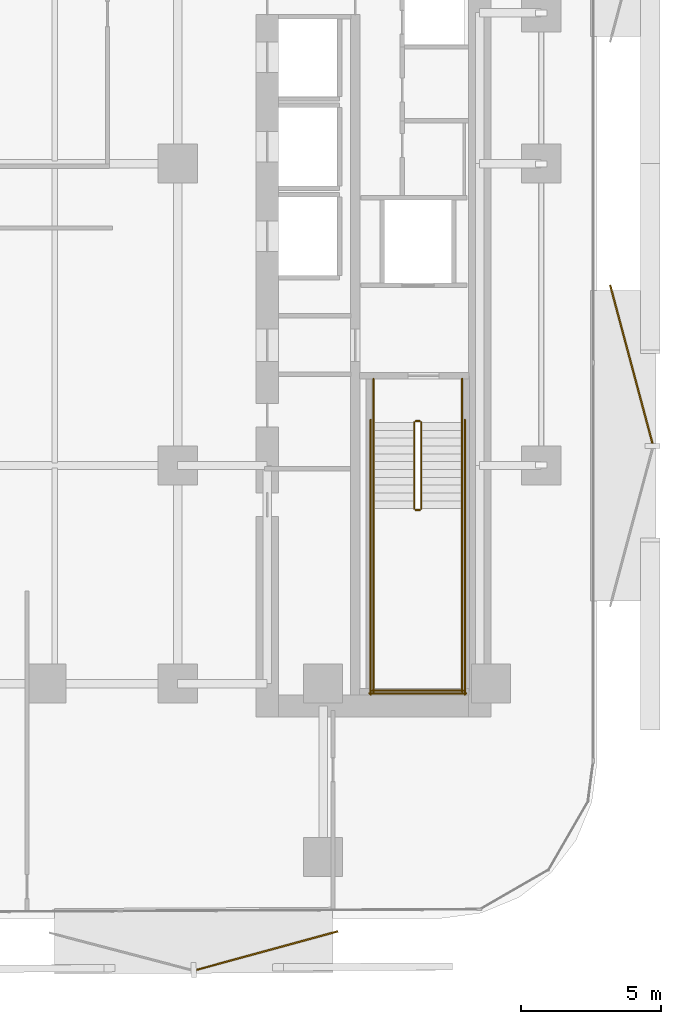
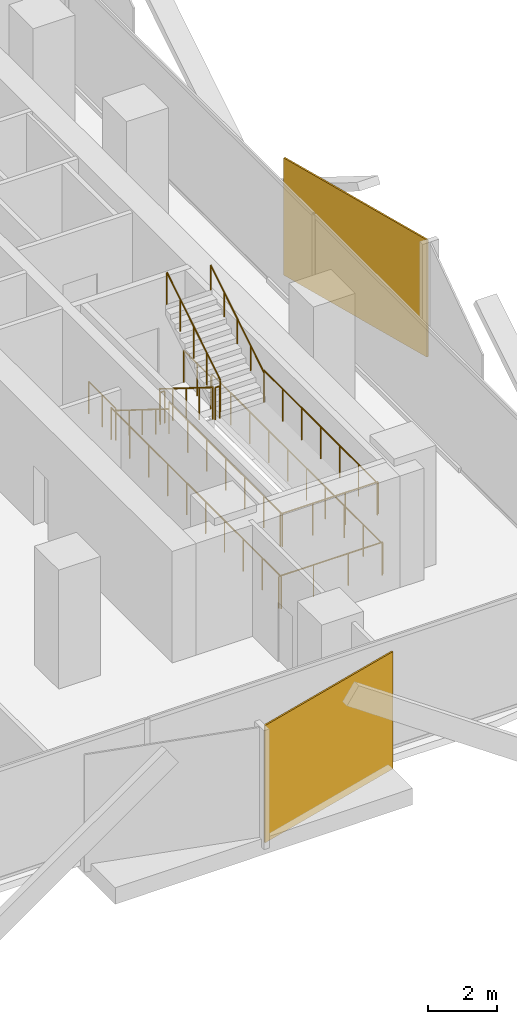
# One storey, part 13 of 15: 14 railings, 2 coverings.
"""IFC4 building model written with IfcOpenShell, lengths in metres."""

import ifcopenshell
import ifcopenshell.guid

model = None  # the IFC model being written
_history = None  # IfcOwnerHistory: only IFC2X3 demands one
_inside = {}  # id of a spatial element -> (the spatial element, [elements in it])
_under = {}  # id of a project, library or spatial element -> (it, [spatial elements below it])
_declared = {}  # id of a project -> (the project, [libraries it declares])
_typed = {}  # id of a type object -> (the type object, [elements of that type])
_made_of = {}  # id of a material, layer set ... -> (it, [elements and type objects made of it])


def new_model(schema):
    """Start an empty IFC model of exactly this schema.

    Asked for "IFC4X3", IfcOpenShell would pick the latest addendum, in which some entities
    have other attributes; the version numbers below select the first issue.
    IFC2X3 requires an IfcOwnerHistory on every rooted entity: one is made here for all.
    """
    global model, _history
    if schema == "IFC4X3":
        model = ifcopenshell.file(schema_version=(4, 3, 0, 0))
    else:
        model = ifcopenshell.file(schema=schema)
    _inside.clear()
    _under.clear()
    _declared.clear()
    _typed.clear()
    _made_of.clear()
    _history = None
    if model.schema == "IFC2X3":
        org = make("IfcOrganization", Name="unknown")
        user = make(
            "IfcPersonAndOrganization",
            ThePerson=make("IfcPerson", FamilyName="unknown"),
            TheOrganization=org,
        )
        app = make(
            "IfcApplication",
            ApplicationDeveloper=org,
            Version="unknown",
            ApplicationFullName="unknown",
            ApplicationIdentifier="unknown",
        )
        _history = make(
            "IfcOwnerHistory",
            OwningUser=user,
            OwningApplication=app,
            ChangeAction="ADDED",
            CreationDate=0,
        )
    return model


def make(cls, **values):
    """One entity of the class cls with the attributes given. An attribute that is None is left unset."""
    return model.create_entity(
        cls, **{name: value for name, value in values.items() if value is not None}
    )


def rooted(cls, **values):
    """An entity with a GlobalId (a new one), such as an element, a storey or a relation."""
    return make(cls, GlobalId=ifcopenshell.guid.new(), OwnerHistory=_history, **values)


def si_unit(unit_type, name, prefix=None):
    """IfcSIUnit, for example si_unit("LENGTHUNIT", "METRE", prefix="MILLI")."""
    return make("IfcSIUnit", UnitType=unit_type, Prefix=prefix, Name=name)


def assignment(units):
    """IfcUnitAssignment: the units of a project."""
    return None if units is None else make("IfcUnitAssignment", Units=units)


def point(xyz):
    """IfcCartesianPoint."""
    return None if xyz is None else make("IfcCartesianPoint", Coordinates=xyz)


def direction(xyz):
    """IfcDirection."""
    return None if xyz is None else make("IfcDirection", DirectionRatios=xyz)


def frame(location, z_axis=None, x_axis=None):
    """IfcAxis2Placement3D, a coordinate frame: its origin and axes. An axis left out is left unset."""
    return make(
        "IfcAxis2Placement3D",
        Location=point(location),
        Axis=direction(z_axis),
        RefDirection=direction(x_axis),
    )


def frame_2d(location, x_axis=None):
    """IfcAxis2Placement2D, a coordinate frame in the plane: its origin and x axis."""
    return make(
        "IfcAxis2Placement2D", Location=point(location), RefDirection=direction(x_axis)
    )


def origin():
    """The frame at (0, 0, 0) with its axes left unset."""
    return frame((0.0, 0.0, 0.0))


def origin_2d():
    """The frame at (0, 0) in the plane with its x axis left unset."""
    return frame_2d((0.0, 0.0))


def place(relative_to, where):
    """IfcLocalPlacement: puts the frame where relative to a parent placement (None: the world)."""
    return make(
        "IfcLocalPlacement", PlacementRelTo=relative_to, RelativePlacement=where
    )


def context(
    kind, dimensions, precision=None, world=None, true_north=None, identifier=None
):
    """IfcGeometricRepresentationContext, for example the 3D "Model" context."""
    return make(
        "IfcGeometricRepresentationContext",
        ContextIdentifier=identifier,
        ContextType=kind,
        CoordinateSpaceDimension=dimensions,
        Precision=precision,
        WorldCoordinateSystem=world,
        TrueNorth=true_north,
    )


def subcontext(parent, identifier, kind, view, scale=None):
    """IfcGeometricRepresentationSubContext, for example "Body" below "Model"."""
    return make(
        "IfcGeometricRepresentationSubContext",
        ContextIdentifier=identifier,
        ContextType=kind,
        ParentContext=parent,
        TargetScale=scale,
        TargetView=view,
    )


def project(units=None, contexts=None):
    """IfcProject with its units and contexts."""
    return rooted(
        "IfcProject",
        Name="project",
        RepresentationContexts=contexts,
        UnitsInContext=assignment(units),
    )


def spatial(cls, under=None, at=None, **own):
    """A site, building, storey or space (cls), placed at a placement, below another one or the project."""
    s = rooted(cls, ObjectPlacement=at, **own)
    if under is not None:
        _under.setdefault(under.id(), (under, []))[1].append(s)
    return s


def profile(cls, at=None, kind="AREA", **sizes):
    """A parametric profile (cls). Its sizes go by their IFC names, for example OverallWidth=200.0."""
    return make(cls, ProfileType=kind, Position=at, **sizes)


def rectangle(**sizes):
    """IfcRectangleProfileDef."""
    return profile("IfcRectangleProfileDef", **sizes)


def circle(**sizes):
    """IfcCircleProfileDef."""
    return profile("IfcCircleProfileDef", **sizes)


def extrude(swept, where, along, depth):
    """IfcExtrudedAreaSolid: the profile swept, set in the frame where, extruded along a direction by depth."""
    return make(
        "IfcExtrudedAreaSolid",
        SweptArea=swept,
        Position=where,
        ExtrudedDirection=direction(along),
        Depth=depth,
    )


def shape(context_of_items, identifier, shape_type, items):
    """IfcShapeRepresentation: the items that make up one representation, for example the "Body"."""
    return make(
        "IfcShapeRepresentation",
        ContextOfItems=context_of_items,
        RepresentationIdentifier=identifier,
        RepresentationType=shape_type,
        Items=items,
    )


def material(Name=None, Category=None):
    """IfcMaterial."""
    return make("IfcMaterial", Name=Name, Category=Category)


def layer(
    of_material, thickness, ventilated=None, Name=None, Category=None, Priority=None
):
    """IfcMaterialLayer: one layer of a wall or slab, of a material (None: an air gap)."""
    return make(
        "IfcMaterialLayer",
        Material=of_material,
        LayerThickness=thickness,
        IsVentilated=ventilated,
        Name=Name,
        Category=Category,
        Priority=Priority,
    )


def layer_set(layers, Name=None):
    """IfcMaterialLayerSet."""
    return make("IfcMaterialLayerSet", MaterialLayers=layers, LayerSetName=Name)


def made_of(thing, what):
    """Note that an element or type object is made of a material, layer set ...; save() writes the relation."""
    if what is not None:
        _made_of.setdefault(what.id(), (what, []))[1].append(thing)
    return thing


def type_object(cls, material=None, **own):
    """A type object (cls), such as IfcWallType, which elements share."""
    return made_of(rooted(cls, **own), material)


def element(
    cls,
    number,
    at=None,
    inside=None,
    cuts=None,
    type_object=None,
    material=None,
    context=None,
    identifier="Body",
    shape_type=None,
    held_by="IfcProductDefinitionShape",
    body=None,
    shapes=None,
    **own,
):
    """One element of the class cls, such as IfcWall. Its Tag is "e" and its number.

    at: its placement. inside: the storey or other place that contains it. cuts: it is an
    opening in that element (IfcRelVoidsElement). A single representation is given by context,
    identifier, shape_type and body (its items); several are given by shapes. held_by: the class
    of the entity that holds the representations. save() writes the other relations.
    """
    e = rooted(cls, Tag="e%d" % number, ObjectPlacement=at, **own)
    if body is not None:
        shapes = [shape(context, identifier, shape_type, body)]
    if shapes is not None:
        e.Representation = make(held_by, Representations=shapes)
    if inside is not None:
        _inside.setdefault(inside.id(), (inside, []))[1].append(e)
    if cuts is not None:
        rooted(
            "IfcRelVoidsElement", RelatingBuildingElement=cuts, RelatedOpeningElement=e
        )
    if type_object is not None:
        _typed.setdefault(type_object.id(), (type_object, []))[1].append(e)
    return made_of(e, material)


def aggregate(whole, parts):
    """IfcRelAggregates: a whole, such as a stair, and the parts it consists of."""
    return rooted("IfcRelAggregates", RelatingObject=whole, RelatedObjects=parts)


def save(model, path):
    """Write the relations noted so far, then the file.

    IfcRelAggregates (storeys below a building ...), IfcRelContainedInSpatialStructure (elements
    in a storey), IfcRelDefinesByType, IfcRelAssociatesMaterial and IfcRelDeclares: one each for
    every whole, place, type object, material and project.
    """
    for whole, parts in _under.values():
        aggregate(whole, parts)
    for where, things in _inside.values():
        rooted(
            "IfcRelContainedInSpatialStructure",
            RelatedElements=things,
            RelatingStructure=where,
        )
    for kind, things in _typed.values():
        rooted("IfcRelDefinesByType", RelatedObjects=things, RelatingType=kind)
    for what, things in _made_of.values():
        rooted("IfcRelAssociatesMaterial", RelatedObjects=things, RelatingMaterial=what)
    for by, libraries in _declared.values():
        rooted("IfcRelDeclares", RelatingContext=by, RelatedDefinitions=libraries)
    model.write(path)


model = new_model("IFC4")

# Units and contexts
model_context = context("Model", 3, precision=1e-05, world=origin(), true_north=direction((0.0, 1.0)))
body_context = subcontext(model_context, "Body", "Model", "MODEL_VIEW")
ifc_project = project(units=[si_unit("LENGTHUNIT", "METRE"), si_unit("AREAUNIT", "SQUARE_METRE"), si_unit("VOLUMEUNIT", "CUBIC_METRE"), si_unit("PLANEANGLEUNIT", "RADIAN"), si_unit("MASSUNIT", "GRAM", prefix="KILO")], contexts=[model_context])

# Site, building, storey
site_placement = place(None, origin())
site = spatial("IfcSite", under=ifc_project, at=site_placement, CompositionType="ELEMENT")
building_placement = place(site_placement, origin())
building = spatial("IfcBuilding", under=site, at=building_placement, Name="Khairoan Windgate Tower", CompositionType="ELEMENT")
storey_placement = place(building_placement, frame((0.0, 0.0, 51.199951171875)))
storey = spatial("IfcBuildingStorey", under=building, at=storey_placement, Name="L12", CompositionType="ELEMENT", Elevation=51.199951171875)

# Coverings
ifc_material_1 = material(Name="Anodised Bronze Aluminium 6063-T6", Category="aluminium")
ifc_layer = layer(ifc_material_1, 0.054931640625, Name="Anodised Bronze Aluminium 6063-T6")
ifc_layer_set = layer_set([ifc_layer], Name="Anodised Bronze Aluminium 6063-T6")
covering_type = type_object("IfcCoveringType", Name="Perforated Bronze-Ceramic Folded Solar Screen Cladding BSC-1", PredefinedType="CLADDING", material=ifc_layer_set)
covering_1_placement = place(storey_placement, frame((12.39453125, -28.150390625, -0.10009765625), z_axis=(0.0, 0.0, 1.0), x_axis=(-0.964649468762, -0.263536339841, 0.0)))
element("IfcCovering", 1, at=covering_1_placement, inside=storey, type_object=covering_type, Name="L12 Folded Bronze Solar Screen Facet 49L", PredefinedType="CLADDING", context=body_context, shape_type="SweptSolid", body=[
    extrude(rectangle(XDim=5.25, YDim=0.054931640625, at=origin_2d()), origin(), (0.0, 0.0, 1.0), 4.139892578125),
])
covering_2_placement = place(storey_placement, frame((25.42236328125, -7.177734375, -0.10009765625), z_axis=(0.0, 0.0, 1.0), x_axis=(0.258819045103, -0.965925826289, 0.0)))
element("IfcCovering", 2, at=covering_2_placement, inside=storey, type_object=covering_type, Name="L12 Folded Bronze Solar Screen Facet 56L", PredefinedType="CLADDING", context=body_context, shape_type="SweptSolid", body=[
    extrude(rectangle(XDim=5.85498046875, YDim=0.054931640625, at=origin_2d()), origin(), (0.0, 0.0, 1.0), 4.139892578125),
])

# Railings
ifc_material_2 = material(Name="Anodised Bronze Aluminium 6063-T6", Category="aluminium")
railing_type_1 = type_object("IfcRailingType", Name="Stair Wall Handrail SHR-900", PredefinedType="HANDRAIL", material=ifc_material_2)
railing_1_placement = place(storey_placement, frame((16.199951171875, -9.260009765625, 0.175048828125)))
element("IfcRailing", 3, at=railing_1_placement, inside=storey, type_object=railing_type_1, Name="L12 ST1 stair handrail 1", PredefinedType="HANDRAIL", context=body_context, shape_type="SweptSolid", body=[
    extrude(circle(Radius=0.02392578125, at=origin_2d()), frame((0.0, 0.0, 0.8759765625), z_axis=(0.0, -0.847998304005, 0.529998940003), x_axis=(1.0, 0.0, 0.0)), (0.0, 0.0, 1.0), 3.632080078125),
    extrude(circle(Radius=0.02099609375, at=origin_2d()), origin(), (0.0, 0.0, 1.0), 0.851806640625),
    extrude(circle(Radius=0.02099609375, at=origin_2d()), frame((0.0, -0.77001953125, 0.481201171875)), (0.0, 0.0, 1.0), 0.851806640625),
    extrude(circle(Radius=0.02099609375, at=origin_2d()), frame((0.0, -1.5400390625, 0.96240234375)), (0.0, 0.0, 1.0), 0.851806640625),
    extrude(circle(Radius=0.02099609375, at=origin_2d()), frame((0.0, -2.31005859375, 1.44384765625)), (0.0, 0.0, 1.0), 0.851806640625),
    extrude(circle(Radius=0.02099609375, at=origin_2d()), frame((0.0, -3.080078125, 1.925048828125)), (0.0, 0.0, 1.0), 0.851806640625),
])
railing_2_placement = place(storey_placement, frame((19.3701171875, -12.340087890625, 2.275146484375)))
element("IfcRailing", 4, at=railing_2_placement, inside=storey, type_object=railing_type_1, Name="L12 ST1 stair handrail 2", PredefinedType="HANDRAIL", context=body_context, shape_type="SweptSolid", body=[
    extrude(circle(Radius=0.02392578125, at=origin_2d()), frame((0.0, 0.0, 0.8759765625), z_axis=(0.0, 0.848028513186, 0.529950602248), x_axis=(-1.0, 0.0, 0.0)), (0.0, 0.0, 1.0), 3.632080078125),
    extrude(circle(Radius=0.02099609375, at=origin_2d()), origin(), (0.0, 0.0, 1.0), 0.851806640625),
    extrude(circle(Radius=0.02099609375, at=origin_2d()), frame((0.0, 0.77001953125, 0.481201171875)), (0.0, 0.0, 1.0), 0.851806640625),
    extrude(circle(Radius=0.02099609375, at=origin_2d()), frame((0.0, 1.5400390625, 0.96240234375)), (0.0, 0.0, 1.0), 0.851806640625),
    extrude(circle(Radius=0.02099609375, at=origin_2d()), frame((0.0, 2.31005859375, 1.443603515625)), (0.0, 0.0, 1.0), 0.851806640625),
    extrude(circle(Radius=0.02099609375, at=origin_2d()), frame((0.0, 3.080078125, 1.9248046875)), (0.0, 0.0, 1.0), 0.851806640625),
])
ifc_material_3 = material(Name="Steel S355", Category="steel")
railing_type_2 = type_object("IfcRailingType", Name="Stairwell Safety Guardrail SGR-1150", PredefinedType="GUARDRAIL", material=ifc_material_3)
railing_3_placement = place(storey_placement, frame((17.659912109375, -9.260009765625, 0.175048828125)))
element("IfcRailing", 5, at=railing_3_placement, inside=storey, type_object=railing_type_2, Name="L12 ST1 stair guard 1", PredefinedType="GUARDRAIL", context=body_context, shape_type="SweptSolid", body=[
    extrude(circle(Radius=0.02392578125, at=origin_2d()), frame((0.0, 0.0, 1.1259765625), z_axis=(0.0, -0.847998304005, 0.529998940003), x_axis=(1.0, 0.0, 0.0)), (0.0, 0.0, 1.0), 3.632080078125),
    extrude(circle(Radius=0.02099609375, at=origin_2d()), origin(), (0.0, 0.0, 1.0), 1.101806640625),
    extrude(circle(Radius=0.02099609375, at=origin_2d()), frame((0.0, -0.77001953125, 0.481201171875)), (0.0, 0.0, 1.0), 1.101806640625),
    extrude(circle(Radius=0.02099609375, at=origin_2d()), frame((0.0, -1.5400390625, 0.96240234375)), (0.0, 0.0, 1.0), 1.101806640625),
    extrude(circle(Radius=0.02099609375, at=origin_2d()), frame((0.0, -2.31005859375, 1.44384765625)), (0.0, 0.0, 1.0), 1.101806640625),
    extrude(circle(Radius=0.02099609375, at=origin_2d()), frame((0.0, -3.080078125, 1.925048828125)), (0.0, 0.0, 1.0), 1.101806640625),
])
railing_4_placement = place(storey_placement, frame((17.7099609375, -12.389892578125, 2.10009765625)))
element("IfcRailing", 6, at=railing_4_placement, inside=storey, type_object=railing_type_2, Name="L12 ST1 stair guard 2", PredefinedType="GUARDRAIL", context=body_context, shape_type="SweptSolid", body=[
    extrude(circle(Radius=0.02392578125, at=origin_2d()), frame((0.0, 0.0, 1.1259765625), z_axis=(1.0, 0.0, 0.0), x_axis=(0.0, 1.0, 0.0)), (0.0, 0.0, 1.0), 0.150146484375),
    extrude(circle(Radius=0.02099609375, at=origin_2d()), origin(), (0.0, 0.0, 1.0), 1.101806640625),
    extrude(circle(Radius=0.02099609375, at=origin_2d()), frame((0.150146484375, 0.0, 0.0)), (0.0, 0.0, 1.0), 1.101806640625),
])
for number, where, name in (
    (7, (16.199951171875, -12.340087890625, 2.10009765625), "L12 ST1 stair guard 3"),
    (8, (19.3701171875, -12.340087890625, 2.10009765625), "L12 ST1 stair guard 4"),
):
    element("IfcRailing", number, at=place(storey_placement, frame(where)), inside=storey, type_object=railing_type_2, Name=name, PredefinedType="GUARDRAIL", context=body_context, shape_type="SweptSolid", body=[
        extrude(circle(Radius=0.02392578125, at=origin_2d()), frame((0.0, 0.0, 1.1259765625), z_axis=(0.0, -1.0, 0.0), x_axis=(1.0, 0.0, 0.0)), (0.0, 0.0, 1.0), 6.559814453125),
        extrude(circle(Radius=0.02099609375, at=origin_2d()), origin(), (0.0, 0.0, 1.0), 1.101806640625),
        extrude(circle(Radius=0.02099609375, at=origin_2d()), frame((0.0, -1.09326171875, 0.0)), (0.0, 0.0, 1.0), 1.101806640625),
        extrude(circle(Radius=0.02099609375, at=origin_2d()), frame((0.0, -2.1865234375, 0.0)), (0.0, 0.0, 1.0), 1.101806640625),
        extrude(circle(Radius=0.02099609375, at=origin_2d()), frame((0.0, -3.27978515625, 0.0)), (0.0, 0.0, 1.0), 1.101806640625),
        extrude(circle(Radius=0.02099609375, at=origin_2d()), frame((0.0, -4.373291015625, 0.0)), (0.0, 0.0, 1.0), 1.101806640625),
        extrude(circle(Radius=0.02099609375, at=origin_2d()), frame((0.0, -5.466552734375, 0.0)), (0.0, 0.0, 1.0), 1.101806640625),
        extrude(circle(Radius=0.02099609375, at=origin_2d()), frame((0.0, -6.559814453125, 0.0)), (0.0, 0.0, 1.0), 1.101806640625),
    ])
railing_5_placement = place(storey_placement, frame((16.14990234375, -18.85009765625, 2.10009765625)))
element("IfcRailing", 9, at=railing_5_placement, inside=storey, type_object=railing_type_2, Name="L12 ST1 stair guard 5", PredefinedType="GUARDRAIL", context=body_context, shape_type="SweptSolid", body=[
    extrude(circle(Radius=0.02392578125, at=origin_2d()), frame((0.0, 0.0, 1.1259765625), z_axis=(1.0, 0.0, 0.0), x_axis=(0.0, 1.0, 0.0)), (0.0, 0.0, 1.0), 3.27001953125),
    extrude(circle(Radius=0.02099609375, at=origin_2d()), origin(), (0.0, 0.0, 1.0), 1.101806640625),
    extrude(circle(Radius=0.02099609375, at=origin_2d()), frame((1.090087890625, 0.0, 0.0)), (0.0, 0.0, 1.0), 1.101806640625),
    extrude(circle(Radius=0.02099609375, at=origin_2d()), frame((2.179931640625, 0.0, 0.0)), (0.0, 0.0, 1.0), 1.101806640625),
    extrude(circle(Radius=0.02099609375, at=origin_2d()), frame((3.27001953125, 0.0, 0.0)), (0.0, 0.0, 1.0), 1.101806640625),
])
railing_6_placement = place(storey_placement, frame((17.909912109375, -12.340087890625, 2.275146484375)))
element("IfcRailing", 10, at=railing_6_placement, inside=storey, type_object=railing_type_2, Name="L12 ST1 stair guard 6", PredefinedType="GUARDRAIL", context=body_context, shape_type="SweptSolid", body=[
    extrude(circle(Radius=0.02392578125, at=origin_2d()), frame((0.0, 0.0, 1.1259765625), z_axis=(0.0, 0.848028513186, 0.529950602248), x_axis=(-1.0, 0.0, 0.0)), (0.0, 0.0, 1.0), 3.632080078125),
    extrude(circle(Radius=0.02099609375, at=origin_2d()), origin(), (0.0, 0.0, 1.0), 1.101806640625),
    extrude(circle(Radius=0.02099609375, at=origin_2d()), frame((0.0, 0.77001953125, 0.481201171875)), (0.0, 0.0, 1.0), 1.101806640625),
    extrude(circle(Radius=0.02099609375, at=origin_2d()), frame((0.0, 1.5400390625, 0.96240234375)), (0.0, 0.0, 1.0), 1.101806640625),
    extrude(circle(Radius=0.02099609375, at=origin_2d()), frame((0.0, 2.31005859375, 1.443603515625)), (0.0, 0.0, 1.0), 1.101806640625),
    extrude(circle(Radius=0.02099609375, at=origin_2d()), frame((0.0, 3.080078125, 1.9248046875)), (0.0, 0.0, 1.0), 1.101806640625),
])
railing_7_placement = place(storey_placement, frame((17.7099609375, -9.2099609375, 0.0)))
element("IfcRailing", 11, at=railing_7_placement, inside=storey, type_object=railing_type_2, Name="L12 ST1 stair guard 7", PredefinedType="GUARDRAIL", context=body_context, shape_type="SweptSolid", body=[
    extrude(circle(Radius=0.02392578125, at=origin_2d()), frame((0.0, 0.0, 1.1259765625), z_axis=(1.0, 0.0, 0.0), x_axis=(0.0, 1.0, 0.0)), (0.0, 0.0, 1.0), 0.150146484375),
    extrude(circle(Radius=0.02099609375, at=origin_2d()), origin(), (0.0, 0.0, 1.0), 1.101806640625),
    extrude(circle(Radius=0.02099609375, at=origin_2d()), frame((0.150146484375, 0.0, 0.0)), (0.0, 0.0, 1.0), 1.101806640625),
])
for number, where, name in (
    (12, (16.199951171875, -7.699951171875, 0.0), "L12 ST1 stair guard 8"),
    (13, (19.3701171875, -7.699951171875, 0.0), "L12 ST1 stair guard 9"),
):
    element("IfcRailing", number, at=place(storey_placement, frame(where)), inside=storey, type_object=railing_type_2, Name=name, PredefinedType="GUARDRAIL", context=body_context, shape_type="SweptSolid", body=[
        extrude(circle(Radius=0.02392578125, at=origin_2d()), frame((0.0, 0.0, 1.1259765625), z_axis=(0.0, -1.0, 0.0), x_axis=(1.0, 0.0, 0.0)), (0.0, 0.0, 1.0), 1.56005859375),
        extrude(circle(Radius=0.02099609375, at=origin_2d()), origin(), (0.0, 0.0, 1.0), 1.101806640625),
        extrude(circle(Radius=0.02099609375, at=origin_2d()), frame((0.0, -0.780029296875, 0.0)), (0.0, 0.0, 1.0), 1.101806640625),
        extrude(circle(Radius=0.02099609375, at=origin_2d()), frame((0.0, -1.56005859375, 0.0)), (0.0, 0.0, 1.0), 1.101806640625),
    ])
for number, where, name in (
    (14, (16.10009765625, -9.159912109375, 0.0), "L12 ST1 stair guard 10"),
    (15, (19.469970703125, -9.159912109375, 0.0), "L12 ST1 stair guard 11"),
):
    element("IfcRailing", number, at=place(storey_placement, frame(where)), inside=storey, type_object=railing_type_2, Name=name, PredefinedType="GUARDRAIL", context=body_context, shape_type="SweptSolid", body=[
        extrude(circle(Radius=0.02392578125, at=origin_2d()), frame((0.0, 0.0, 1.1259765625), z_axis=(0.0, -1.0, 0.0), x_axis=(1.0, 0.0, 0.0)), (0.0, 0.0, 1.0), 9.840087890625),
        extrude(circle(Radius=0.02099609375, at=origin_2d()), origin(), (0.0, 0.0, 1.0), 1.101806640625),
        extrude(circle(Radius=0.02099609375, at=origin_2d()), frame((0.0, -1.09326171875, 0.0)), (0.0, 0.0, 1.0), 1.101806640625),
        extrude(circle(Radius=0.02099609375, at=origin_2d()), frame((0.0, -2.186767578125, 0.0)), (0.0, 0.0, 1.0), 1.101806640625),
        extrude(circle(Radius=0.02099609375, at=origin_2d()), frame((0.0, -3.280029296875, 0.0)), (0.0, 0.0, 1.0), 1.101806640625),
        extrude(circle(Radius=0.02099609375, at=origin_2d()), frame((0.0, -4.373291015625, 0.0)), (0.0, 0.0, 1.0), 1.101806640625),
        extrude(circle(Radius=0.02099609375, at=origin_2d()), frame((0.0, -5.466796875, 0.0)), (0.0, 0.0, 1.0), 1.101806640625),
        extrude(circle(Radius=0.02099609375, at=origin_2d()), frame((0.0, -6.56005859375, 0.0)), (0.0, 0.0, 1.0), 1.101806640625),
        extrude(circle(Radius=0.02099609375, at=origin_2d()), frame((0.0, -7.6533203125, 0.0)), (0.0, 0.0, 1.0), 1.101806640625),
        extrude(circle(Radius=0.02099609375, at=origin_2d()), frame((0.0, -8.746826171875, 0.0)), (0.0, 0.0, 1.0), 1.101806640625),
        extrude(circle(Radius=0.02099609375, at=origin_2d()), frame((0.0, -9.840087890625, 0.0)), (0.0, 0.0, 1.0), 1.101806640625),
    ])
railing_8_placement = place(storey_placement, frame((16.050048828125, -18.949951171875, 0.0)))
element("IfcRailing", 16, at=railing_8_placement, inside=storey, type_object=railing_type_2, Name="L12 ST1 stair guard 12", PredefinedType="GUARDRAIL", context=body_context, shape_type="SweptSolid", body=[
    extrude(circle(Radius=0.02392578125, at=origin_2d()), frame((0.0, 0.0, 1.1259765625), z_axis=(1.0, 0.0, 0.0), x_axis=(0.0, 1.0, 0.0)), (0.0, 0.0, 1.0), 3.469970703125),
    extrude(circle(Radius=0.02099609375, at=origin_2d()), origin(), (0.0, 0.0, 1.0), 1.101806640625),
    extrude(circle(Radius=0.02099609375, at=origin_2d()), frame((1.15673828125, 0.0, 0.0)), (0.0, 0.0, 1.0), 1.101806640625),
    extrude(circle(Radius=0.02099609375, at=origin_2d()), frame((2.313232421875, 0.0, 0.0)), (0.0, 0.0, 1.0), 1.101806640625),
    extrude(circle(Radius=0.02099609375, at=origin_2d()), frame((3.469970703125, 0.0, 0.0)), (0.0, 0.0, 1.0), 1.101806640625),
])

save(model, "model.ifc")
